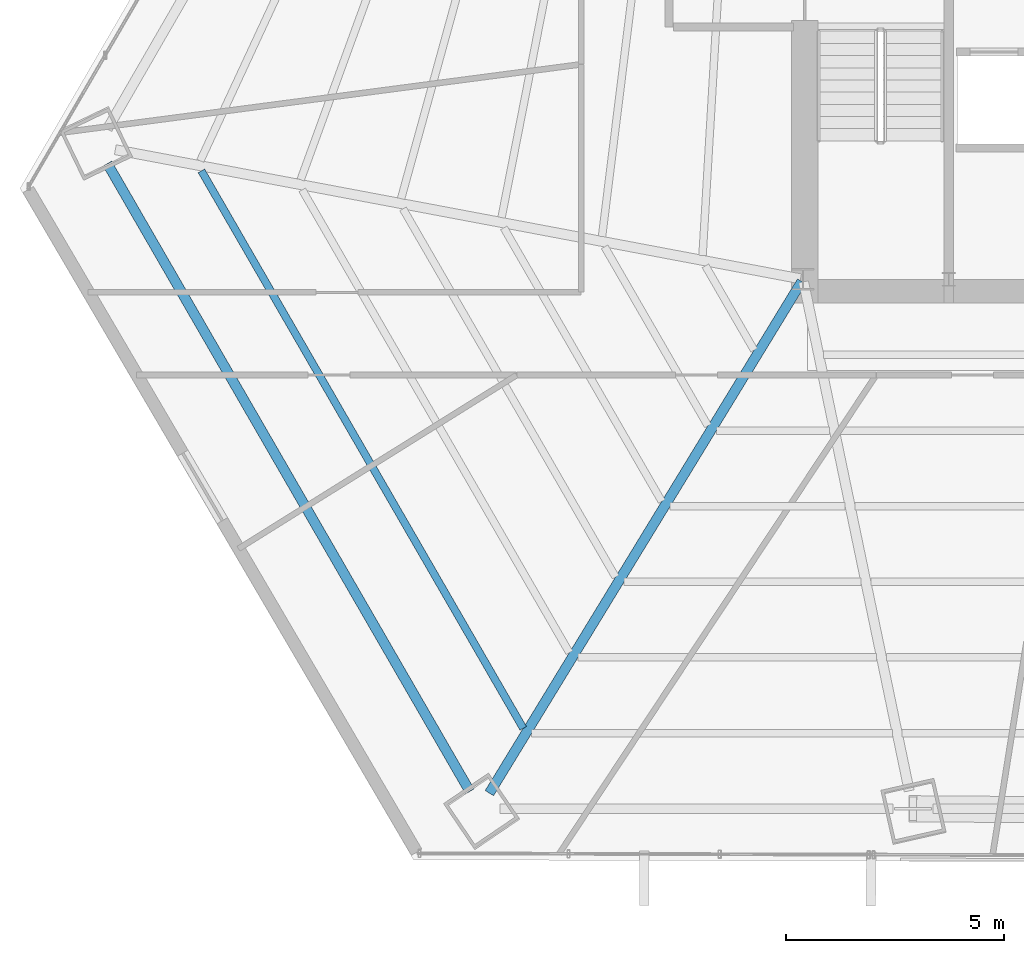
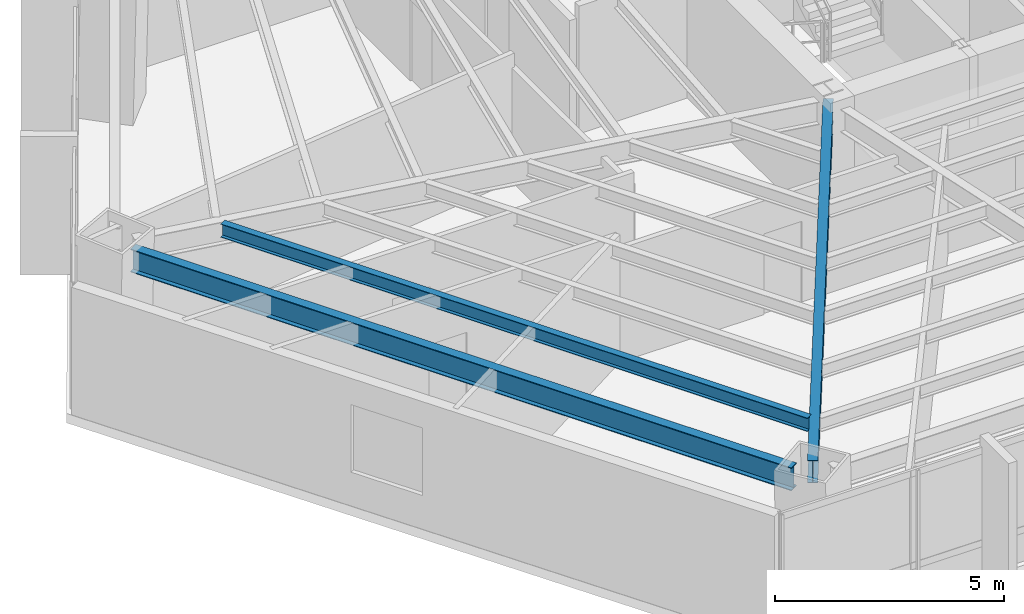
# One storey, part 4 of 37: 3 beams.
"""IFC4 building model written with IfcOpenShell, lengths in metres."""

from ifc_helpers import new_model, si_unit, direction, frame, origin, origin_2d, place, context, subcontext, project, spatial, i_section, extrude, source, transform, mapped, material, material_profile, profile_set, type_object, type_shapes, element, save


model = new_model("IFC4")

# Units and contexts
model_context = context("Model", 3, precision=1e-05, world=origin(), true_north=direction((0.0, 1.0)))
body_context = subcontext(model_context, "Body", "Model", "MODEL_VIEW")
ifc_project = project(units=[si_unit("LENGTHUNIT", "METRE"), si_unit("AREAUNIT", "SQUARE_METRE"), si_unit("VOLUMEUNIT", "CUBIC_METRE"), si_unit("PLANEANGLEUNIT", "RADIAN"), si_unit("MASSUNIT", "GRAM", prefix="KILO")], contexts=[model_context])

# Site, building, storey
site_placement = place(None, origin())
site = spatial("IfcSite", under=ifc_project, at=site_placement, CompositionType="ELEMENT")
building_placement = place(site_placement, origin())
building = spatial("IfcBuilding", under=site, at=building_placement, Name="Caelisora Broadcast Tower", CompositionType="ELEMENT")
storey_placement = place(building_placement, frame((0.0, 0.0, 45.85009765625)))
storey = spatial("IfcBuildingStorey", under=building, at=storey_placement, Name="L11", CompositionType="ELEMENT", Elevation=45.85009765625)

# Beams
ifc_material = material(Name="Steel Grade 350 (AS/NZS 3679.1)", Category="steel")
ifc_material_profile_1 = material_profile(ifc_material, i_section(OverallWidth=0.22900390625, OverallDepth=0.611572265625, WebThickness=0.011962890625, FlangeThickness=0.01953125, at=origin_2d()), Name="Steel Grade 350 (AS/NZS 3679.1)")
ifc_profile_set_1 = profile_set([ifc_material_profile_1], Name="Steel Grade 350 (AS/NZS 3679.1)")
beam_type_1 = type_object("IfcBeamType", Name="PG03", PredefinedType="BEAM", material=ifc_profile_set_1)
shared_shape_1 = source(origin(), body_context, "Body", "SweptSolid", [
    extrude(i_section(OverallWidth=0.22900390625, OverallDepth=0.611572265625, WebThickness=0.011962890625, FlangeThickness=0.01953125, at=origin_2d()), origin(), (0.0, 0.0, 1.0), 16.65673828125),
])
type_shapes(beam_type_1, [shared_shape_1])
beam_1_placement = place(storey_placement, frame((14.514404296875, 20.057373046875, 3.093994140625), z_axis=(0.499996504227, -0.866027422061, 0.0), x_axis=(0.866027422061, 0.499996504227, 0.0)))
element("IfcBeam", 1, at=beam_1_placement, inside=storey, type_object=beam_type_1, Name="L11 beam PG03", PredefinedType="BEAM", context=body_context, shape_type="MappedRepresentation", body=[
    mapped(shared_shape_1, transform((0.0, 0.0, 0.0), scale=1.0)),
])
ifc_material_profile_2 = material_profile(ifc_material, i_section(OverallWidth=0.22802734375, OverallDepth=0.602294921875, WebThickness=0.010498046875, FlangeThickness=0.014892578125, at=origin_2d()), Name="Steel Grade 350 (AS/NZS 3679.1)")
ifc_profile_set_2 = profile_set([ifc_material_profile_2], Name="Steel Grade 350 (AS/NZS 3679.1)")
beam_type_2 = type_object("IfcBeamType", Name="PG04", PredefinedType="BEAM", material=ifc_profile_set_2)
shared_shape_2 = source(origin(), body_context, "Body", "SweptSolid", [
    extrude(i_section(OverallWidth=0.22802734375, OverallDepth=0.602294921875, WebThickness=0.010498046875, FlangeThickness=0.014892578125, at=origin_2d()), origin(), (0.0, 0.0, 1.0), 13.774169921875),
])
type_shapes(beam_type_2, [shared_shape_2])
beam_2_placement = place(storey_placement, frame((30.46875, 17.348876953125, 3.098876953125), z_axis=(-0.521062089815, -0.853518774578, 0.0), x_axis=(0.853518774578, -0.521062089815, 0.0)))
element("IfcBeam", 2, at=beam_2_placement, inside=storey, type_object=beam_type_2, Name="L11 beam PG04", PredefinedType="BEAM", context=body_context, shape_type="MappedRepresentation", body=[
    mapped(shared_shape_2, transform((0.0, 0.0, 0.0), scale=1.0)),
])
ifc_material_profile_3 = material_profile(ifc_material, i_section(OverallWidth=0.172119140625, OverallDepth=0.358642578125, WebThickness=0.008056640625, FlangeThickness=0.012939453125, at=origin_2d()), Name="Steel Grade 350 (AS/NZS 3679.1)")
ifc_profile_set_3 = profile_set([ifc_material_profile_3], Name="Steel Grade 350 (AS/NZS 3679.1)")
beam_type_3 = type_object("IfcBeamType", Name="SB02", PredefinedType="JOIST", material=ifc_profile_set_3)
shared_shape_3 = source(origin(), body_context, "Body", "SweptSolid", [
    extrude(i_section(OverallWidth=0.172119140625, OverallDepth=0.358642578125, WebThickness=0.008056640625, FlangeThickness=0.012939453125, at=origin_2d()), origin(), (0.0, 0.0, 1.0), 14.791748046875),
])
type_shapes(beam_type_3, [shared_shape_3])
beam_3_placement = place(storey_placement, frame((16.674560546875, 19.8916015625, 3.220703125), z_axis=(0.499992961026, -0.8660294677, 0.0), x_axis=(0.8660294677, 0.499992961026, 0.0)))
element("IfcBeam", 3, at=beam_3_placement, inside=storey, type_object=beam_type_3, Name="L11 beam SB02", PredefinedType="JOIST", context=body_context, shape_type="MappedRepresentation", body=[
    mapped(shared_shape_3, transform((0.0, 0.0, 0.0), scale=1.0)),
])

save(model, "model.ifc")
